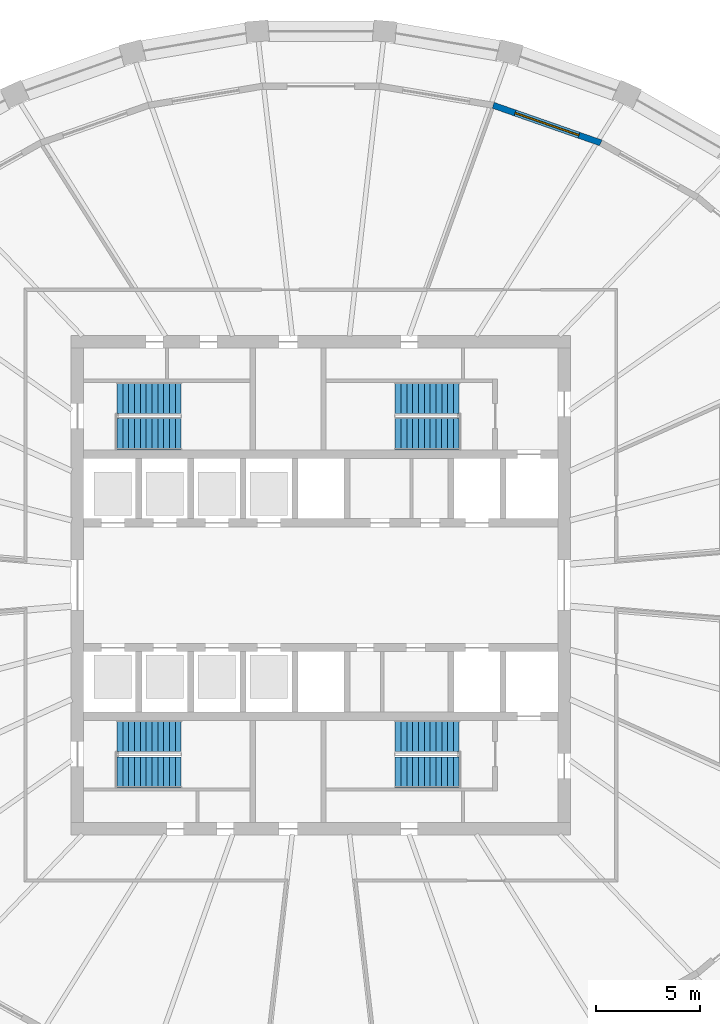
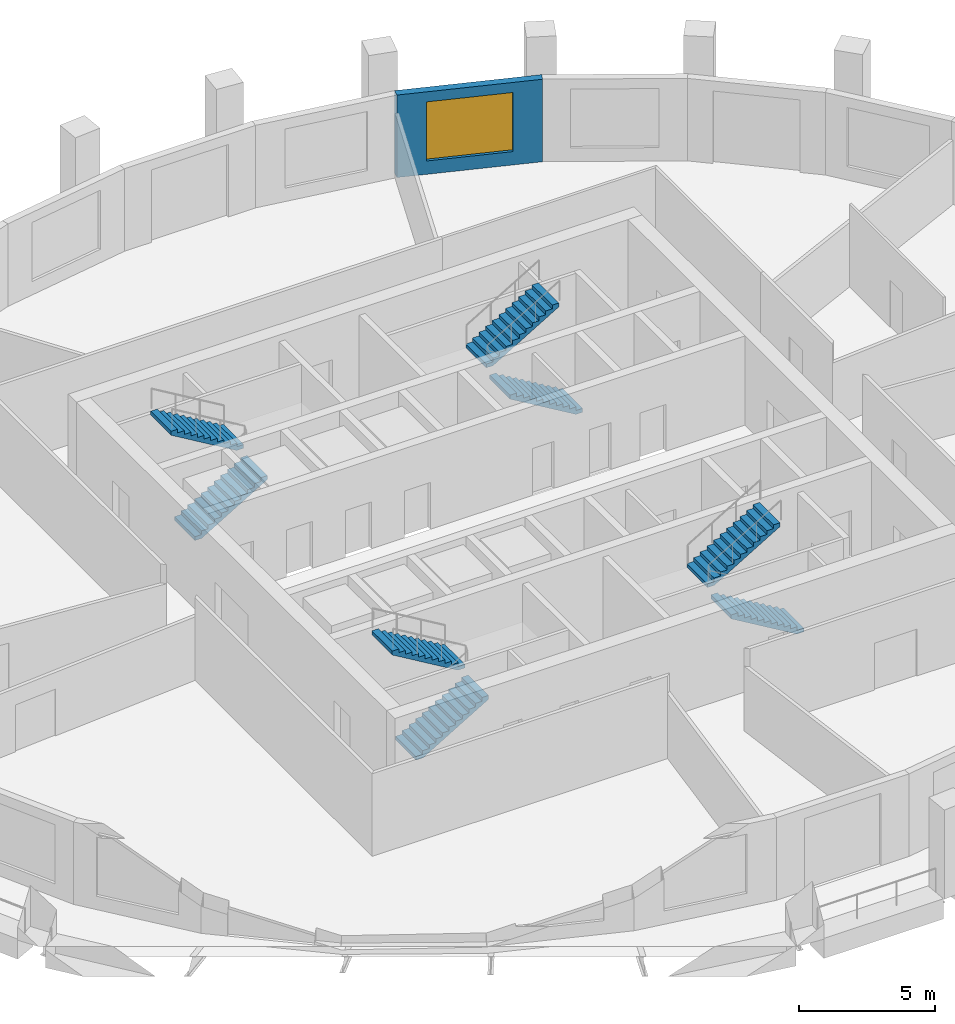
# One storey, part 7 of 10: 8 stair flights, 1 wall, 1 window, 1 opening, 4 elements without a shape of their own.
"""IFC4 building model written with IfcOpenShell, lengths in metres."""

from ifc_helpers import new_model, si_unit, direction, frame, frame_2d, origin, place, context, subcontext, project, spatial, polyline, rectangle, outline, extrude, material, layer, layer_set, type_object, element, fill, aggregate, save


model = new_model("IFC4")

# Units and contexts
model_context = context("Model", 3, precision=1e-05, world=origin(), true_north=direction((0.0, 1.0)))
body_context = subcontext(model_context, "Body", "Model", "MODEL_VIEW")
ifc_project = project(units=[si_unit("LENGTHUNIT", "METRE"), si_unit("AREAUNIT", "SQUARE_METRE"), si_unit("VOLUMEUNIT", "CUBIC_METRE"), si_unit("PLANEANGLEUNIT", "RADIAN"), si_unit("MASSUNIT", "GRAM", prefix="KILO")], contexts=[model_context])

# Site, building, storey
site_placement = place(None, origin())
site = spatial("IfcSite", under=ifc_project, at=site_placement, CompositionType="ELEMENT")
building_placement = place(site_placement, origin())
building = spatial("IfcBuilding", under=site, at=building_placement, Name="Halqa Exchange Tower", CompositionType="ELEMENT")
storey_placement = place(building_placement, frame((0.0, 0.0, 242.89990234375)))
storey = spatial("IfcBuildingStorey", under=building, at=storey_placement, Name="L56", CompositionType="ELEMENT", Elevation=242.89990234375)

# Wall, opening, window
ifc_material_1 = material(Name="Limestone cladding", Category="masonry")
ifc_layer_1 = layer(ifc_material_1, 0.0400390625)
ifc_material_2 = material(Name="Ventilated cavity")
ifc_layer_2 = layer(ifc_material_2, 0.030029296875, ventilated=True)
ifc_material_3 = material(Name="Mineral wool insulation")
ifc_layer_3 = layer(ifc_material_3, 0.10009765625)
ifc_material_4 = material(Name="Concrete C30/37", Category="concrete")
ifc_layer_4 = layer(ifc_material_4, 0.10009765625)
ifc_material_5 = material(Name="Internal plaster")
ifc_layer_5 = layer(ifc_material_5, 0.030029296875)
ifc_layer_set = layer_set([ifc_layer_1, ifc_layer_2, ifc_layer_3, ifc_layer_4, ifc_layer_5], Name="Stone-faced insulated wall 300")
wall_type = type_object("IfcWallType", Name="Stone-faced insulated wall 300", PredefinedType="STANDARD", material=ifc_layer_set)
wall_placement = place(storey_placement, frame((13.45458984375, 21.260986328125, 0.0), z_axis=(0.0, 0.0, 1.0), x_axis=(-0.944093730832, 0.329677156326, 0.0)))
wall = element("IfcWall", 1, at=wall_placement, inside=storey, type_object=wall_type, Name="Glass-line wall 6", PredefinedType="STANDARD", context=body_context, shape_type="SweptSolid", body=[
    extrude(outline(polyline([(-0.013427734375, -0.14990234375), (5.489013671875, -0.14990234375), (5.463623046875, 0.14990234375), (0.013427734375, 0.14990234375), (-0.013427734375, -0.14990234375)])), origin(), (0.0, 0.0, 1.0), 3.7001953125),
])
opening_placement = place(wall_placement, frame((1.113037109375, 0.0, 0.60009765625)))
opening = element("IfcOpeningElement", 2, at=opening_placement, cuts=wall, Name="Opening W-F3-06", PredefinedType="OPENING", context=body_context, shape_type="SweptSolid", body=[
    extrude(rectangle(XDim=3.25, YDim=2.64990234375, at=frame_2d((1.625, 1.324951171875))), frame((0.0, 0.162109375, 0.0), z_axis=(0.0, -1.0, 0.0), x_axis=(1.0, 0.0, 0.0)), (0.0, 0.0, 1.0), 0.323974609375),
])
ifc_material_6 = material(Name="Clear low-emissivity glass in aluminium frame", Category="aluminium")
window_type = type_object("IfcWindowType", Name="Fixed clear glazed window 3250 x 2650", PartitioningType="TRIPLE_PANEL_VERTICAL", PredefinedType="WINDOW", material=ifc_material_6)
window_placement = place(opening_placement, origin())
window = element("IfcWindow", 3, at=window_placement, inside=storey, type_object=window_type, Name="Window 3", OverallHeight=2.64990234375, OverallWidth=3.25, PartitioningType="TRIPLE_PANEL_VERTICAL", PredefinedType="WINDOW", context=body_context, shape_type="SweptSolid", body=[
    extrude(rectangle(XDim=3.25, YDim=2.64990234375, at=frame_2d((1.625, 1.324951171875))), frame((0.0, 0.030029296875, 0.0), z_axis=(0.0, -1.0, 0.0), x_axis=(1.0, 0.0, 0.0)), (0.0, 0.0, 1.0), 0.06005859375),
])
fill(opening, window)

# Stair, stair flights
stair_type = type_object("IfcStairType", Name="Exit stair 1500 wide", PredefinedType="HALF_TURN_STAIR", material=ifc_material_4)
stair_1_placement = place(storey_placement, origin())
stair_1 = element("IfcStair", 4, at=stair_1_placement, inside=storey, type_object=stair_type, Name="Exit stair ST1", PredefinedType="HALF_TURN_STAIR")
stair_flight_type = type_object("IfcStairFlightType", Name="Stair flight 1500 wide", PredefinedType="STRAIGHT", material=ifc_material_4)
stair_flight_1_placement = place(storey_placement, frame((-9.800048828125, 7.25, 0.0), z_axis=(0.0, 0.0, 1.0), x_axis=(1.0, 0.0, 0.0)))
stair_flight_1 = element("IfcStairFlight", 5, at=stair_flight_1_placement, type_object=stair_flight_type, Name="ST1 flight 1", NumberOfRisers=12, NumberOfTreads=11, PredefinedType="STRAIGHT", RiserHeight=0.166666667, TreadLength=0.28, context=body_context, shape_type="SweptSolid", body=[
    extrude(outline(polyline([(0.0, 0.0), (0.0, 0.166748046875), (0.280029296875, 0.166748046875), (0.280029296875, 0.333251953125), (0.56005859375, 0.333251953125), (0.56005859375, 0.5), (0.840087890625, 0.5), (0.840087890625, 0.666748046875), (1.1201171875, 0.666748046875), (1.1201171875, 0.833251953125), (1.39990234375, 0.833251953125), (1.39990234375, 1.0), (1.679931640625, 1.0), (1.679931640625, 1.166748046875), (1.9599609375, 1.166748046875), (1.9599609375, 1.333251953125), (2.239990234375, 1.333251953125), (2.239990234375, 1.5), (2.52001953125, 1.5), (2.52001953125, 1.666748046875), (2.800048828125, 1.666748046875), (2.800048828125, 1.833251953125), (3.080078125, 1.833251953125), (3.080078125, 2.0), (3.080078125, 1.658935546875), (0.29296875, 0.0), (0.0, 0.0)])), frame((0.0, 0.75, 0.0), z_axis=(0.0, -1.0, 0.0), x_axis=(1.0, 0.0, 0.0)), (0.0, 0.0, 1.0), 1.5),
])
stair_flight_2_placement = place(storey_placement, frame((-6.719970703125, 9.0, 2.0), z_axis=(0.0, 0.0, 1.0), x_axis=(-1.0, 0.0, 0.0)))
stair_flight_2 = element("IfcStairFlight", 6, at=stair_flight_2_placement, type_object=stair_flight_type, Name="ST1 flight 2", NumberOfRisers=12, NumberOfTreads=11, PredefinedType="STRAIGHT", RiserHeight=0.166666667, TreadLength=0.28, context=body_context, shape_type="SweptSolid", body=[
    extrude(outline(polyline([(0.0, 0.0), (0.0, 0.166748046875), (0.280029296875, 0.166748046875), (0.280029296875, 0.333251953125), (0.56005859375, 0.333251953125), (0.56005859375, 0.5), (0.840087890625, 0.5), (0.840087890625, 0.666748046875), (1.1201171875, 0.666748046875), (1.1201171875, 0.833251953125), (1.39990234375, 0.833251953125), (1.39990234375, 1.0), (1.679931640625, 1.0), (1.679931640625, 1.166748046875), (1.9599609375, 1.166748046875), (1.9599609375, 1.333251953125), (2.239990234375, 1.333251953125), (2.239990234375, 1.5), (2.52001953125, 1.5), (2.52001953125, 1.666748046875), (2.800048828125, 1.666748046875), (2.800048828125, 1.833251953125), (3.080078125, 1.833251953125), (3.080078125, 2.0), (3.080078125, 1.658935546875), (0.29296875, 0.0), (0.0, 0.0)])), frame((0.0, 0.75, 0.0), z_axis=(0.0, -1.0, 0.0), x_axis=(1.0, 0.0, 0.0)), (0.0, 0.0, 1.0), 1.5),
])
aggregate(stair_1, [stair_flight_1, stair_flight_2])

stair_2_placement = place(storey_placement, origin())
stair_2 = element("IfcStair", 7, at=stair_2_placement, inside=storey, type_object=stair_type, Name="Exit stair ST2", PredefinedType="HALF_TURN_STAIR")
stair_flight_3_placement = place(storey_placement, frame((6.64990234375, 7.25, 0.0), z_axis=(0.0, 0.0, 1.0), x_axis=(-1.0, 0.0, 0.0)))
stair_flight_3 = element("IfcStairFlight", 8, at=stair_flight_3_placement, type_object=stair_flight_type, Name="ST2 flight 1", NumberOfRisers=12, NumberOfTreads=11, PredefinedType="STRAIGHT", RiserHeight=0.166666667, TreadLength=0.28, context=body_context, shape_type="SweptSolid", body=[
    extrude(outline(polyline([(0.0, 0.0), (0.0, 0.166748046875), (0.280029296875, 0.166748046875), (0.280029296875, 0.333251953125), (0.56005859375, 0.333251953125), (0.56005859375, 0.5), (0.840087890625, 0.5), (0.840087890625, 0.666748046875), (1.1201171875, 0.666748046875), (1.1201171875, 0.833251953125), (1.39990234375, 0.833251953125), (1.39990234375, 1.0), (1.679931640625, 1.0), (1.679931640625, 1.166748046875), (1.9599609375, 1.166748046875), (1.9599609375, 1.333251953125), (2.239990234375, 1.333251953125), (2.239990234375, 1.5), (2.52001953125, 1.5), (2.52001953125, 1.666748046875), (2.800048828125, 1.666748046875), (2.800048828125, 1.833251953125), (3.080078125, 1.833251953125), (3.080078125, 2.0), (3.080078125, 1.658935546875), (0.29296875, 0.0), (0.0, 0.0)])), frame((0.0, 0.75, 0.0), z_axis=(0.0, -1.0, 0.0), x_axis=(1.0, 0.0, 0.0)), (0.0, 0.0, 1.0), 1.5),
])
stair_flight_4_placement = place(storey_placement, frame((3.570068359375, 9.0, 2.0), z_axis=(0.0, 0.0, 1.0), x_axis=(1.0, 0.0, 0.0)))
stair_flight_4 = element("IfcStairFlight", 9, at=stair_flight_4_placement, type_object=stair_flight_type, Name="ST2 flight 2", NumberOfRisers=12, NumberOfTreads=11, PredefinedType="STRAIGHT", RiserHeight=0.166666667, TreadLength=0.28, context=body_context, shape_type="SweptSolid", body=[
    extrude(outline(polyline([(0.0, 0.0), (0.0, 0.166748046875), (0.280029296875, 0.166748046875), (0.280029296875, 0.333251953125), (0.56005859375, 0.333251953125), (0.56005859375, 0.5), (0.840087890625, 0.5), (0.840087890625, 0.666748046875), (1.1201171875, 0.666748046875), (1.1201171875, 0.833251953125), (1.39990234375, 0.833251953125), (1.39990234375, 1.0), (1.679931640625, 1.0), (1.679931640625, 1.166748046875), (1.9599609375, 1.166748046875), (1.9599609375, 1.333251953125), (2.239990234375, 1.333251953125), (2.239990234375, 1.5), (2.52001953125, 1.5), (2.52001953125, 1.666748046875), (2.800048828125, 1.666748046875), (2.800048828125, 1.833251953125), (3.080078125, 1.833251953125), (3.080078125, 2.0), (3.080078125, 1.658935546875), (0.29296875, 0.0), (0.0, 0.0)])), frame((0.0, 0.75, 0.0), z_axis=(0.0, -1.0, 0.0), x_axis=(1.0, 0.0, 0.0)), (0.0, 0.0, 1.0), 1.5),
])
aggregate(stair_2, [stair_flight_3, stair_flight_4])

stair_3_placement = place(storey_placement, origin())
stair_3 = element("IfcStair", 10, at=stair_3_placement, inside=storey, type_object=stair_type, Name="Exit stair ST3", PredefinedType="HALF_TURN_STAIR")
stair_flight_5_placement = place(storey_placement, frame((-9.800048828125, -9.0, 0.0), z_axis=(0.0, 0.0, 1.0), x_axis=(1.0, 0.0, 0.0)))
stair_flight_5 = element("IfcStairFlight", 11, at=stair_flight_5_placement, type_object=stair_flight_type, Name="ST3 flight 1", NumberOfRisers=12, NumberOfTreads=11, PredefinedType="STRAIGHT", RiserHeight=0.166666667, TreadLength=0.28, context=body_context, shape_type="SweptSolid", body=[
    extrude(outline(polyline([(0.0, 0.0), (0.0, 0.166748046875), (0.280029296875, 0.166748046875), (0.280029296875, 0.333251953125), (0.56005859375, 0.333251953125), (0.56005859375, 0.5), (0.840087890625, 0.5), (0.840087890625, 0.666748046875), (1.1201171875, 0.666748046875), (1.1201171875, 0.833251953125), (1.39990234375, 0.833251953125), (1.39990234375, 1.0), (1.679931640625, 1.0), (1.679931640625, 1.166748046875), (1.9599609375, 1.166748046875), (1.9599609375, 1.333251953125), (2.239990234375, 1.333251953125), (2.239990234375, 1.5), (2.52001953125, 1.5), (2.52001953125, 1.666748046875), (2.800048828125, 1.666748046875), (2.800048828125, 1.833251953125), (3.080078125, 1.833251953125), (3.080078125, 2.0), (3.080078125, 1.658935546875), (0.29296875, 0.0), (0.0, 0.0)])), frame((0.0, 0.75, 0.0), z_axis=(0.0, -1.0, 0.0), x_axis=(1.0, 0.0, 0.0)), (0.0, 0.0, 1.0), 1.5),
])
stair_flight_6_placement = place(storey_placement, frame((-6.719970703125, -7.25, 2.0), z_axis=(0.0, 0.0, 1.0), x_axis=(-1.0, 0.0, 0.0)))
stair_flight_6 = element("IfcStairFlight", 12, at=stair_flight_6_placement, type_object=stair_flight_type, Name="ST3 flight 2", NumberOfRisers=12, NumberOfTreads=11, PredefinedType="STRAIGHT", RiserHeight=0.166666667, TreadLength=0.28, context=body_context, shape_type="SweptSolid", body=[
    extrude(outline(polyline([(0.0, 0.0), (0.0, 0.166748046875), (0.280029296875, 0.166748046875), (0.280029296875, 0.333251953125), (0.56005859375, 0.333251953125), (0.56005859375, 0.5), (0.840087890625, 0.5), (0.840087890625, 0.666748046875), (1.1201171875, 0.666748046875), (1.1201171875, 0.833251953125), (1.39990234375, 0.833251953125), (1.39990234375, 1.0), (1.679931640625, 1.0), (1.679931640625, 1.166748046875), (1.9599609375, 1.166748046875), (1.9599609375, 1.333251953125), (2.239990234375, 1.333251953125), (2.239990234375, 1.5), (2.52001953125, 1.5), (2.52001953125, 1.666748046875), (2.800048828125, 1.666748046875), (2.800048828125, 1.833251953125), (3.080078125, 1.833251953125), (3.080078125, 2.0), (3.080078125, 1.658935546875), (0.29296875, 0.0), (0.0, 0.0)])), frame((0.0, 0.75, 0.0), z_axis=(0.0, -1.0, 0.0), x_axis=(1.0, 0.0, 0.0)), (0.0, 0.0, 1.0), 1.5),
])
aggregate(stair_3, [stair_flight_5, stair_flight_6])

stair_4_placement = place(storey_placement, origin())
stair_4 = element("IfcStair", 13, at=stair_4_placement, inside=storey, type_object=stair_type, Name="Exit stair ST4", PredefinedType="HALF_TURN_STAIR")
stair_flight_7_placement = place(storey_placement, frame((6.64990234375, -9.0, 0.0), z_axis=(0.0, 0.0, 1.0), x_axis=(-1.0, 0.0, 0.0)))
stair_flight_7 = element("IfcStairFlight", 14, at=stair_flight_7_placement, type_object=stair_flight_type, Name="ST4 flight 1", NumberOfRisers=12, NumberOfTreads=11, PredefinedType="STRAIGHT", RiserHeight=0.166666667, TreadLength=0.28, context=body_context, shape_type="SweptSolid", body=[
    extrude(outline(polyline([(0.0, 0.0), (0.0, 0.166748046875), (0.280029296875, 0.166748046875), (0.280029296875, 0.333251953125), (0.56005859375, 0.333251953125), (0.56005859375, 0.5), (0.840087890625, 0.5), (0.840087890625, 0.666748046875), (1.1201171875, 0.666748046875), (1.1201171875, 0.833251953125), (1.39990234375, 0.833251953125), (1.39990234375, 1.0), (1.679931640625, 1.0), (1.679931640625, 1.166748046875), (1.9599609375, 1.166748046875), (1.9599609375, 1.333251953125), (2.239990234375, 1.333251953125), (2.239990234375, 1.5), (2.52001953125, 1.5), (2.52001953125, 1.666748046875), (2.800048828125, 1.666748046875), (2.800048828125, 1.833251953125), (3.080078125, 1.833251953125), (3.080078125, 2.0), (3.080078125, 1.658935546875), (0.29296875, 0.0), (0.0, 0.0)])), frame((0.0, 0.75, 0.0), z_axis=(0.0, -1.0, 0.0), x_axis=(1.0, 0.0, 0.0)), (0.0, 0.0, 1.0), 1.5),
])
stair_flight_8_placement = place(storey_placement, frame((3.570068359375, -7.25, 2.0), z_axis=(0.0, 0.0, 1.0), x_axis=(1.0, 0.0, 0.0)))
stair_flight_8 = element("IfcStairFlight", 15, at=stair_flight_8_placement, type_object=stair_flight_type, Name="ST4 flight 2", NumberOfRisers=12, NumberOfTreads=11, PredefinedType="STRAIGHT", RiserHeight=0.166666667, TreadLength=0.28, context=body_context, shape_type="SweptSolid", body=[
    extrude(outline(polyline([(0.0, 0.0), (0.0, 0.166748046875), (0.280029296875, 0.166748046875), (0.280029296875, 0.333251953125), (0.56005859375, 0.333251953125), (0.56005859375, 0.5), (0.840087890625, 0.5), (0.840087890625, 0.666748046875), (1.1201171875, 0.666748046875), (1.1201171875, 0.833251953125), (1.39990234375, 0.833251953125), (1.39990234375, 1.0), (1.679931640625, 1.0), (1.679931640625, 1.166748046875), (1.9599609375, 1.166748046875), (1.9599609375, 1.333251953125), (2.239990234375, 1.333251953125), (2.239990234375, 1.5), (2.52001953125, 1.5), (2.52001953125, 1.666748046875), (2.800048828125, 1.666748046875), (2.800048828125, 1.833251953125), (3.080078125, 1.833251953125), (3.080078125, 2.0), (3.080078125, 1.658935546875), (0.29296875, 0.0), (0.0, 0.0)])), frame((0.0, 0.75, 0.0), z_axis=(0.0, -1.0, 0.0), x_axis=(1.0, 0.0, 0.0)), (0.0, 0.0, 1.0), 1.5),
])
aggregate(stair_4, [stair_flight_7, stair_flight_8])

save(model, "model.ifc")
